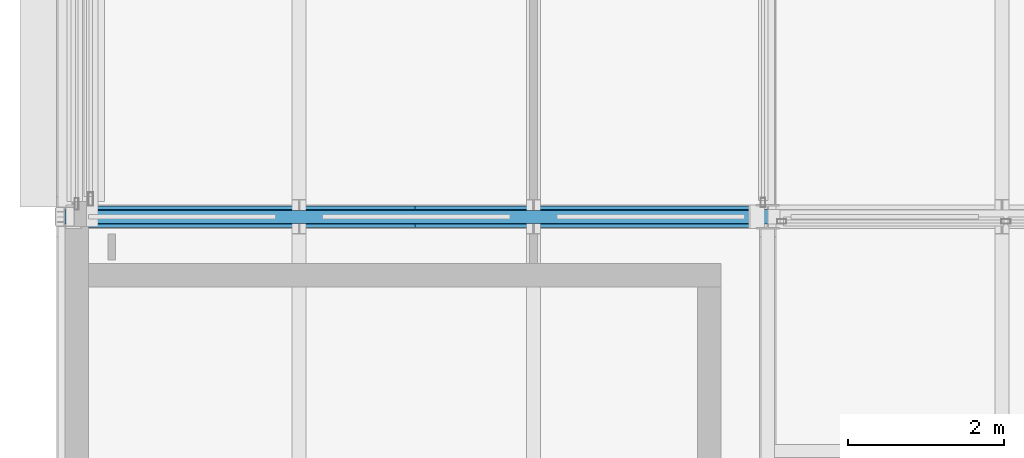
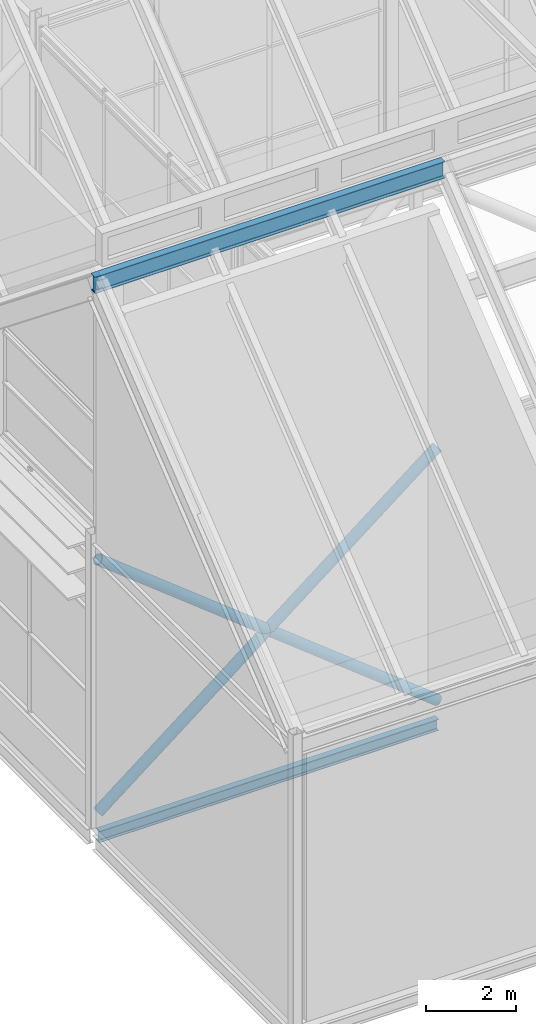
# One storey, part 13 of 144: 2 beams, 2 members.
"""IFC4 building model written with IfcOpenShell, lengths in metres."""

from ifc_helpers import new_model, si_unit, direction, frame, origin, origin_2d, place, context, subcontext, project, spatial, hollow_circle, i_section, extrude, material, material_profile, profile_set, type_object, element, save


model = new_model("IFC4")

# Units and contexts
model_context = context("Model", 3, precision=1e-05, world=origin(), true_north=direction((0.0, 1.0)))
body_context = subcontext(model_context, "Body", "Model", "MODEL_VIEW")
ifc_project = project(units=[si_unit("LENGTHUNIT", "METRE"), si_unit("AREAUNIT", "SQUARE_METRE"), si_unit("VOLUMEUNIT", "CUBIC_METRE"), si_unit("PLANEANGLEUNIT", "RADIAN"), si_unit("MASSUNIT", "GRAM", prefix="KILO")], contexts=[model_context])

# Site, building, storey
site_placement = place(None, origin())
site = spatial("IfcSite", under=ifc_project, at=site_placement, CompositionType="ELEMENT")
building_placement = place(site_placement, origin())
building = spatial("IfcBuilding", under=site, at=building_placement, Name="Shorebreak Coast Museum", CompositionType="ELEMENT")
storey_placement = place(building_placement, frame((0.0, 0.0, 36.0)))
storey = spatial("IfcBuildingStorey", under=building, at=storey_placement, Name="L06", CompositionType="ELEMENT", Elevation=36.0)

# Beams
ifc_material_1 = material(Name="Steel Grade 300", Category="steel")
ifc_material_profile_1 = material_profile(ifc_material_1, i_section(OverallWidth=0.166015625, OverallDepth=0.30712890625, WebThickness=0.006591796875, FlangeThickness=0.01171875, FilletRadius=0.011474609375, at=origin_2d()), Name="310UB46.2")
ifc_profile_set_1 = profile_set([ifc_material_profile_1], Name="Steel Grade 300")
beam_type_1 = type_object("IfcBeamType", Name="Floor girder east-west 310UB46.2", PredefinedType="BEAM", material=ifc_profile_set_1)
beam_1_placement = place(storey_placement, frame((54.125, 63.0, -0.32861328125), z_axis=(1.0, 0.0, 0.0), x_axis=(0.0, 1.0, 0.0)))
element("IfcBeam", 1, at=beam_1_placement, inside=storey, type_object=beam_type_1, Name="Floor girder east-west L06 7H", PredefinedType="BEAM", context=body_context, shape_type="SweptSolid", body=[
    extrude(i_section(OverallWidth=0.166015625, OverallDepth=0.30712890625, WebThickness=0.006591796875, FlangeThickness=0.01171875, FilletRadius=0.011474609375, at=origin_2d()), origin(), (0.0, 0.0, 1.0), 8.721435546875),
])
ifc_material_2 = material(Name="Steel Grade 300", Category="steel")
ifc_material_profile_2 = material_profile(ifc_material_2, i_section(OverallWidth=0.18994140625, OverallDepth=0.453857421875, WebThickness=0.008544921875, FlangeThickness=0.0126953125, FilletRadius=0.011474609375, at=origin_2d()), Name="460UB67.1")
ifc_profile_set_2 = profile_set([ifc_material_profile_2], Name="Steel Grade 300")
beam_type_2 = type_object("IfcBeamType", Name="Fold ridge beam 460UB67.1", PredefinedType="BEAM", material=ifc_profile_set_2)
beam_2_placement = place(storey_placement, frame((54.0, 63.0, 14.717041015625), z_axis=(1.0, 0.0, 0.0), x_axis=(0.0, 1.0, 0.0)))
element("IfcBeam", 2, at=beam_2_placement, inside=storey, type_object=beam_type_2, Name="Fold ridge beam FOLD-X line H bay 7H", PredefinedType="BEAM", context=body_context, shape_type="SweptSolid", body=[
    extrude(i_section(OverallWidth=0.18994140625, OverallDepth=0.453857421875, WebThickness=0.008544921875, FlangeThickness=0.0126953125, FilletRadius=0.011474609375, at=origin_2d()), origin(), (0.0, 0.0, 1.0), 9.0),
])

# Members
ifc_material_3 = material(Name="Steel Grade C350L0", Category="steel")
ifc_material_profile_3 = material_profile(ifc_material_3, hollow_circle(Radius=0.136474609375, WallThickness=0.00927734375, at=origin_2d()), Name="273.1x9.3 CHS")
ifc_profile_set_3 = profile_set([ifc_material_profile_3], Name="Steel Grade C350L0")
member_type = type_object("IfcMemberType", Name="X-brace 273.1x9.3 CHS", PredefinedType="BRACE", material=ifc_profile_set_3)
for number, where, z_axis, x_axis, name in (
    (3, (54.125, 63.0, 0.300048828125), (0.785079055174, 0.0, 0.619395574029), (0.0, 1.0, 0.0), "X-brace bay 01 L06 diagonal 1"),
    (4, (62.846435546875, 63.0, 0.300048828125), (-0.785079055174, 0.0, 0.619395574029), (0.0, -1.0, 0.0), "X-brace bay 01 L06 diagonal 2"),
):
    element("IfcMember", number, at=place(storey_placement, frame(where, z_axis=z_axis, x_axis=x_axis)), inside=storey, type_object=member_type, Name=name, PredefinedType="BRACE", context=body_context, shape_type="SweptSolid", body=[
        extrude(hollow_circle(Radius=0.136474609375, WallThickness=0.00927734375, at=origin_2d()), origin(), (0.0, 0.0, 1.0), 11.10888671875),
    ])

save(model, "model.ifc")
